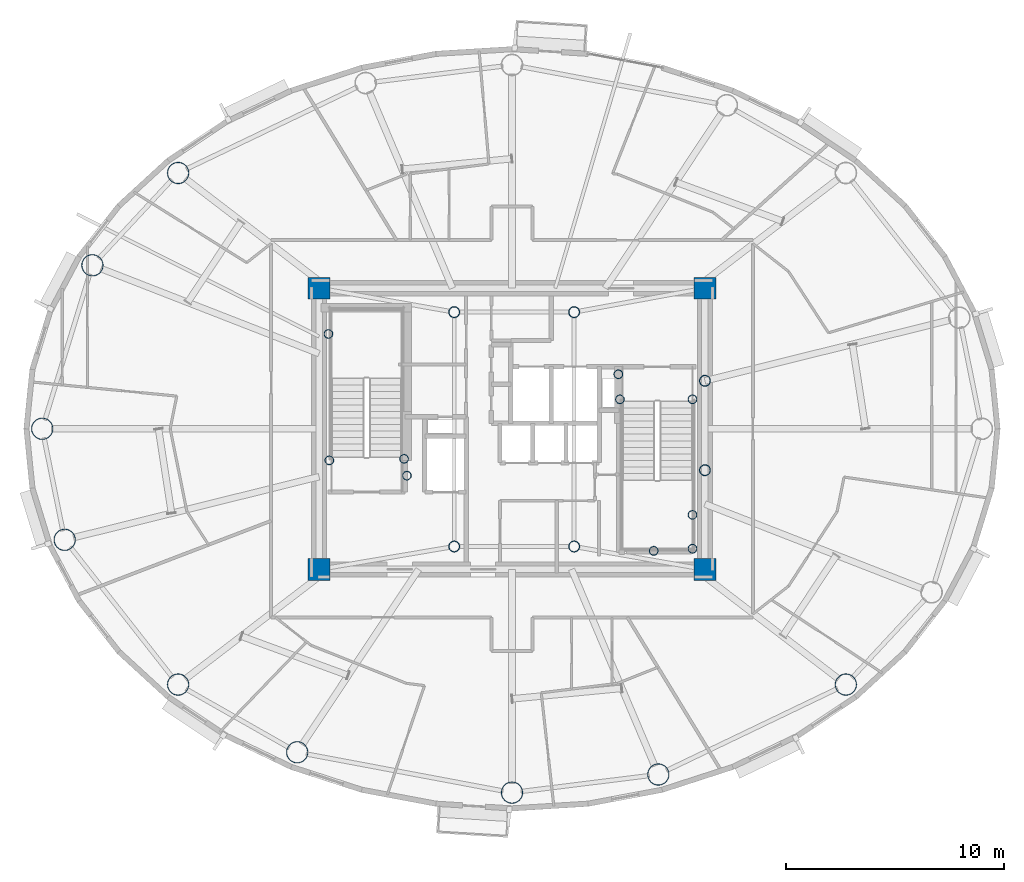
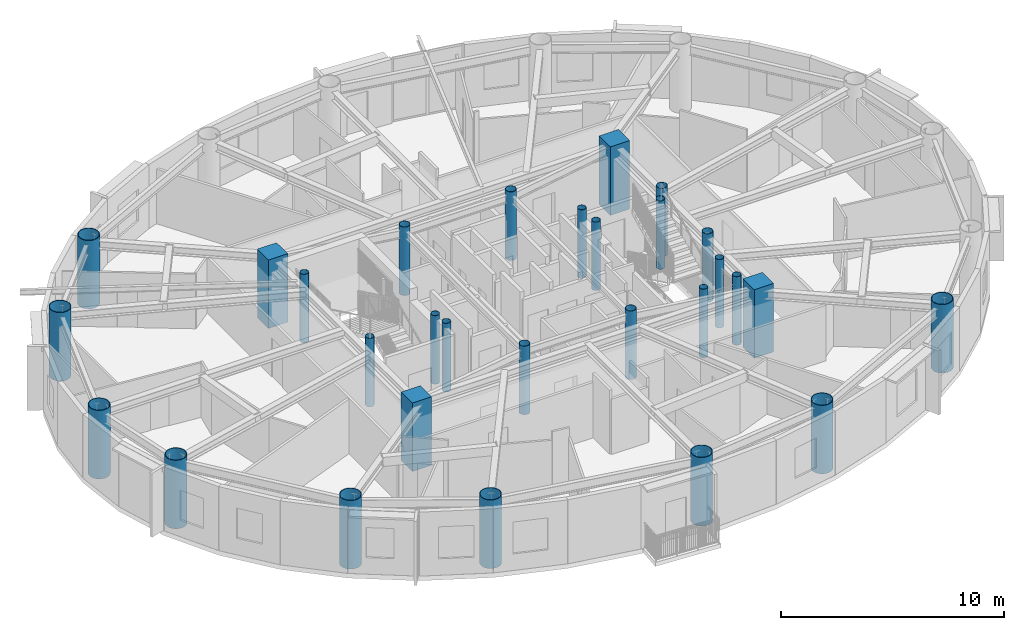
# One storey, part 1 of 20: 29 columns.
"""IFC4 building model written with IfcOpenShell, lengths in metres."""

from ifc_helpers import new_model, si_unit, direction, frame, origin, origin_2d, place, context, subcontext, project, spatial, rectangle, hollow_circle, extrude, material, material_profile, profile_set, type_object, element, save


model = new_model("IFC4")

# Units and contexts
model_context = context("Model", 3, precision=1e-05, world=origin(), true_north=direction((0.0, 1.0)))
body_context = subcontext(model_context, "Body", "Model", "MODEL_VIEW")
ifc_project = project(units=[si_unit("LENGTHUNIT", "METRE"), si_unit("AREAUNIT", "SQUARE_METRE"), si_unit("VOLUMEUNIT", "CUBIC_METRE"), si_unit("PLANEANGLEUNIT", "RADIAN"), si_unit("MASSUNIT", "GRAM", prefix="KILO")], contexts=[model_context])

# Site, building, storey
site_placement = place(None, origin())
site = spatial("IfcSite", under=ifc_project, at=site_placement, CompositionType="ELEMENT")
building_placement = place(site_placement, origin())
building = spatial("IfcBuilding", under=site, at=building_placement, Name="Linh Dai School and Residence Tower", CompositionType="ELEMENT")
storey_placement = place(building_placement, frame((0.0, 0.0, 288.0)))
storey = spatial("IfcBuildingStorey", under=building, at=storey_placement, Name="L71", CompositionType="ELEMENT", Elevation=288.0)

# Columns
ifc_material_1 = material(Name="Concrete B45 (C35/45)", Category="concrete")
ifc_material_profile_1 = material_profile(ifc_material_1, rectangle(XDim=1.0, YDim=1.0, at=origin_2d()), Name="RC 1000x1000")
ifc_profile_set_1 = profile_set([ifc_material_profile_1], Name="Concrete B45 (C35/45)")
column_type_1 = type_object("IfcColumnType", Name="COL-CC3", PredefinedType="COLUMN", material=ifc_profile_set_1)
for number, where, z_axis, x_axis, name in (
    (1, (27.14990234375, 20.550048828125, 0.0), (0.0, 0.0, 1.0), (1.0, 0.0, 0.0), "L71 Core Corner Pier CC1"),
    (2, (44.85009765625, 20.550048828125, 0.0), (0.0, 0.0, 1.0), (1.0, 0.0, 0.0), "L71 Core Corner Pier CC2"),
    (3, (44.85009765625, 33.449951171875, 0.0), (0.0, 0.0, 1.0), (1.0, 0.0, 0.0), "L71 Core Corner Pier CC3"),
    (4, (27.14990234375, 33.449951171875, 0.0), (0.0, 0.0, 1.0), (1.0, 0.0, 0.0), "L71 Core Corner Pier CC4"),
):
    element("IfcColumn", number, at=place(storey_placement, frame(where, z_axis=z_axis, x_axis=x_axis)), inside=storey, type_object=column_type_1, Name=name, PredefinedType="COLUMN", context=body_context, shape_type="SweptSolid", body=[
        extrude(rectangle(XDim=1.0, YDim=1.0, at=origin_2d()), origin(), (0.0, 0.0, 1.0), 3.75),
    ])
ifc_material_2 = material(Name="Structural Steel S355JR", Category="steel")
ifc_material_profile_2 = material_profile(ifc_material_2, hollow_circle(Radius=0.203125, WallThickness=0.01611328125, at=origin_2d()), Name="CHS 406.4x16")
ifc_profile_set_2 = profile_set([ifc_material_profile_2], Name="Structural Steel S355JR")
column_type_2 = type_object("IfcColumnType", Name="COL-EC", PredefinedType="COLUMN", material=ifc_profile_set_2)
for number, where, z_axis, x_axis, name in (
    (5, (27.580078125, 31.35009765625, 0.0), (0.0, 0.0, 1.0), (1.0, 0.0, 0.0), "L71 Stair Shaft Landing Support Pier ST1NW"),
    (6, (31.050048828125, 25.6201171875, 0.0), (0.0, 0.0, 1.0), (1.0, 0.0, 0.0), "L71 Stair Shaft Landing Support Pier ST1SE"),
    (7, (31.179931640625, 24.85009765625, 0.0), (0.0, 0.0, 1.0), (1.0, 0.0, 0.0), "L71 Stair Shaft Landing Support Pier ST1SM"),
    (8, (27.6201171875, 25.550048828125, 0.0), (0.0, 0.0, 1.0), (1.0, 0.0, 0.0), "L71 Stair Shaft Landing Support Pier ST1SW"),
    (9, (44.280029296875, 21.5, 0.0), (0.0, 0.0, 1.0), (1.0, 0.0, 0.0), "L71 Stair Shaft Landing Support Pier ST2SE"),
    (10, (44.280029296875, 23.050048828125, 0.0), (0.0, 0.0, 1.0), (1.0, 0.0, 0.0), "L71 Stair Shaft Landing Support Pier ST2NE"),
    (11, (42.5, 21.39990234375, 0.0), (0.0, 0.0, 1.0), (1.0, 0.0, 0.0), "L71 Stair Shaft Landing Support Pier ST2MS"),
    (12, (40.949951171875, 28.35009765625, 0.0), (0.0, 0.0, 1.0), (1.0, 0.0, 0.0), "L71 Stair Shaft Landing Support Pier ST2N1"),
    (13, (44.280029296875, 28.35009765625, 0.0), (0.0, 0.0, 1.0), (1.0, 0.0, 0.0), "L71 Stair Shaft Landing Support Pier ST2N2"),
    (14, (40.8798828125, 29.5, 0.0), (0.0, 0.0, 1.0), (1.0, 0.0, 0.0), "L71 Stair Shaft Landing Support Pier ST2N3"),
):
    element("IfcColumn", number, at=place(storey_placement, frame(where, z_axis=z_axis, x_axis=x_axis)), inside=storey, type_object=column_type_2, Name=name, PredefinedType="COLUMN", context=body_context, shape_type="SweptSolid", body=[
        extrude(hollow_circle(Radius=0.203125, WallThickness=0.01611328125, at=origin_2d()), origin(), (0.0, 0.0, 1.0), 3.75),
    ])
ifc_material_profile_3 = material_profile(ifc_material_2, hollow_circle(Radius=0.5, WallThickness=0.031982421875, at=origin_2d()), Name="CHS 1000x32")
ifc_profile_set_3 = profile_set([ifc_material_profile_3], Name="Structural Steel S355JR")
column_type_3 = type_object("IfcColumnType", Name="COL-MC6", PredefinedType="COLUMN", material=ifc_profile_set_3)
for number, where, z_axis, x_axis, name in (
    (15, (20.684814453125, 38.7333984375, 0.0), (0.0, 0.0, 1.0), (1.0, 0.0, 0.0), "L71 Perimeter CFT Mega-Column MC07"),
    (16, (16.75390625, 34.49951171875, 0.0), (0.0, 0.0, 1.0), (1.0, 0.0, 0.0), "L71 Perimeter CFT Mega-Column MC08"),
    (17, (14.449951171875, 27.0, 0.0), (0.0, 0.0, 1.0), (1.0, 0.0, 0.0), "L71 Perimeter CFT Mega-Column MC09"),
    (18, (15.4814453125, 21.905517578125, 0.0), (0.0, 0.0, 1.0), (1.0, 0.0, 0.0), "L71 Perimeter CFT Mega-Column MC10"),
    (19, (20.684814453125, 15.2666015625, 0.0), (0.0, 0.0, 1.0), (1.0, 0.0, 0.0), "L71 Perimeter CFT Mega-Column MC11"),
    (20, (26.1455078125, 12.1611328125, 0.0), (0.0, 0.0, 1.0), (1.0, 0.0, 0.0), "L71 Perimeter CFT Mega-Column MC12"),
    (21, (36.0, 10.31005859375, 0.0), (0.0, 0.0, 1.0), (1.0, 0.0, 0.0), "L71 Perimeter CFT Mega-Column MC13"),
    (22, (42.71240234375, 11.142333984375, 0.0), (0.0, 0.0, 1.0), (1.0, 0.0, 0.0), "L71 Perimeter CFT Mega-Column MC14"),
    (23, (51.315185546875, 15.2666015625, 0.0), (0.0, 0.0, 1.0), (1.0, 0.0, 0.0), "L71 Perimeter CFT Mega-Column MC15"),
):
    element("IfcColumn", number, at=place(storey_placement, frame(where, z_axis=z_axis, x_axis=x_axis)), inside=storey, type_object=column_type_3, Name=name, PredefinedType="COLUMN", context=body_context, shape_type="SweptSolid", body=[
        extrude(hollow_circle(Radius=0.5, WallThickness=0.031982421875, at=origin_2d()), origin(), (0.0, 0.0, 1.0), 3.75),
    ])
ifc_material_profile_4 = material_profile(ifc_material_2, hollow_circle(Radius=0.25390625, WallThickness=0.02001953125, at=origin_2d()), Name="CHS 508x20")
ifc_profile_set_4 = profile_set([ifc_material_profile_4], Name="Structural Steel S355JR")
column_type_4 = type_object("IfcColumnType", Name="COL-MCP", PredefinedType="COLUMN", material=ifc_profile_set_4)
for number, where, z_axis, x_axis, name in (
    (24, (33.35009765625, 21.60009765625, 0.0), (0.0, 0.0, 1.0), (1.0, 0.0, 0.0), "L71 Core Mast Support Pier MCP1"),
    (25, (38.85009765625, 21.60009765625, 0.0), (0.0, 0.0, 1.0), (1.0, 0.0, 0.0), "L71 Core Mast Support Pier MCP2"),
    (26, (38.85009765625, 32.35009765625, 0.0), (0.0, 0.0, 1.0), (1.0, 0.0, 0.0), "L71 Core Mast Support Pier MCP3"),
    (27, (33.35009765625, 32.35009765625, 0.0), (0.0, 0.0, 1.0), (1.0, 0.0, 0.0), "L71 Core Mast Support Pier MCP4"),
    (28, (44.85009765625, 25.10009765625, 0.0), (0.0, 0.0, 1.0), (1.0, 0.0, 0.0), "L71 Sky-Lounge Core Anchor Pier S"),
    (29, (44.85009765625, 29.199951171875, 0.0), (0.0, 0.0, 1.0), (1.0, 0.0, 0.0), "L71 Sky-Lounge Core Anchor Pier N"),
):
    element("IfcColumn", number, at=place(storey_placement, frame(where, z_axis=z_axis, x_axis=x_axis)), inside=storey, type_object=column_type_4, Name=name, PredefinedType="COLUMN", context=body_context, shape_type="SweptSolid", body=[
        extrude(hollow_circle(Radius=0.25390625, WallThickness=0.02001953125, at=origin_2d()), origin(), (0.0, 0.0, 1.0), 3.75),
    ])

save(model, "model.ifc")
